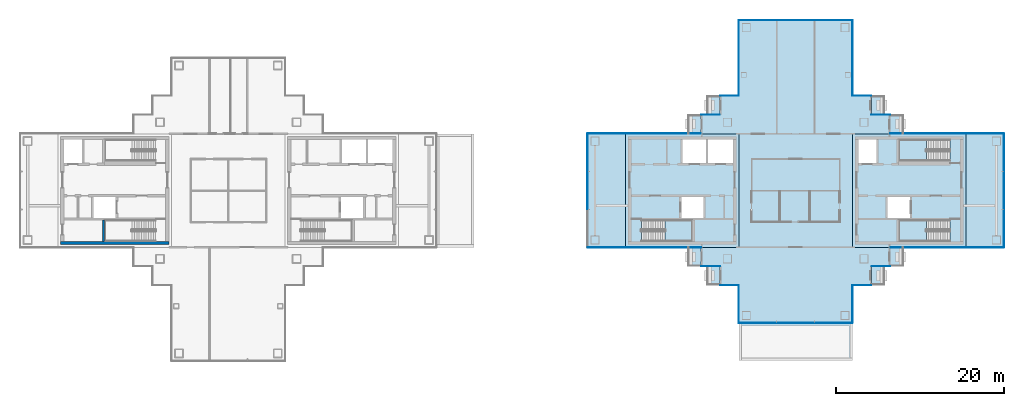
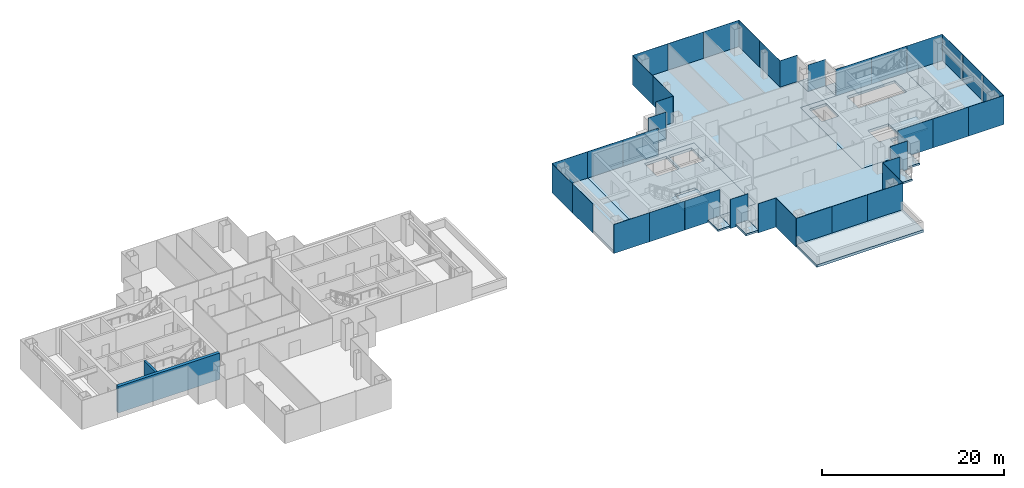
# One storey, part 8 of 16: 37 plates, 17 slabs, 2 walls, 23 elements without a shape of their own.
"""IFC4 building model written with IfcOpenShell, lengths in metres."""

from ifc_helpers import new_model, si_unit, direction, frame, frame_2d, origin, origin_2d, place, context, subcontext, project, spatial, polyline, rectangle, outline, extrude, material, layer, layer_set, type_object, element, aggregate, save


model = new_model("IFC4")

# Units and contexts
model_context = context("Model", 3, precision=1e-05, world=origin(), true_north=direction((0.0, 1.0)))
body_context = subcontext(model_context, "Body", "Model", "MODEL_VIEW")
ifc_project = project(units=[si_unit("LENGTHUNIT", "METRE"), si_unit("AREAUNIT", "SQUARE_METRE"), si_unit("VOLUMEUNIT", "CUBIC_METRE"), si_unit("PLANEANGLEUNIT", "RADIAN"), si_unit("MASSUNIT", "GRAM", prefix="KILO")], contexts=[model_context])

# Site, building, storey
site_placement = place(None, origin())
site = spatial("IfcSite", under=ifc_project, at=site_placement, CompositionType="ELEMENT")
building_placement = place(site_placement, origin())
building = spatial("IfcBuilding", under=site, at=building_placement, Name="Shamsa Quay Exchange Towers", CompositionType="ELEMENT")
storey_placement = place(building_placement, frame((0.0, 0.0, 182.699951171875)))
storey = spatial("IfcBuildingStorey", under=building, at=storey_placement, Name="L43", CompositionType="ELEMENT", Elevation=182.699951171875)

# Slabs
ifc_material_1 = material(Name="Precast concrete C40/50", Category="concrete")
ifc_layer_1 = layer(ifc_material_1, 0.25)
ifc_layer_set_1 = layer_set([ifc_layer_1], Name="BALCONY SLAB 250")
slab_type_1 = type_object("IfcSlabType", Name="BALCONY SLAB 250", PredefinedType="FLOOR", material=ifc_layer_set_1)
slab_1_placement = place(storey_placement, frame((0.0, 0.0, -0.25)))
element("IfcSlab", 1, at=slab_1_placement, inside=storey, type_object=slab_type_1, Name="Balcony T2-PKEN L43", PredefinedType="FLOOR", context=body_context, shape_type="SweptSolid", body=[
    extrude(outline(polyline([(24.75, 11.25), (24.75, 9.0380859375), (23.199951171875, 9.0380859375), (23.199951171875, 11.25), (24.75, 11.25)])), origin(), (0.0, 0.0, 1.0), 0.25),
])
slab_2_placement = place(storey_placement, frame((0.0, 0.0, -0.25)))
element("IfcSlab", 2, at=slab_2_placement, inside=storey, type_object=slab_type_1, Name="Balcony T2-PKEN L43", PredefinedType="FLOOR", context=body_context, shape_type="SweptSolid", body=[
    extrude(outline(polyline([(22.5, 9.0), (22.5, 6.7880859375), (20.949951171875, 6.7880859375), (20.949951171875, 9.0), (22.5, 9.0)])), origin(), (0.0, 0.0, 1.0), 0.25),
])
slab_3_placement = place(storey_placement, frame((0.0, 0.0, -0.25)))
element("IfcSlab", 3, at=slab_3_placement, inside=storey, type_object=slab_type_1, Name="Balcony T2-PKES L43", PredefinedType="FLOOR", context=body_context, shape_type="SweptSolid", body=[
    extrude(outline(polyline([(42.75, 9.0380859375), (42.75, 11.25), (44.300048828125, 11.25), (44.300048828125, 9.0380859375), (42.75, 9.0380859375)])), origin(), (0.0, 0.0, 1.0), 0.25),
])
slab_4_placement = place(storey_placement, frame((0.0, 0.0, -0.25)))
element("IfcSlab", 4, at=slab_4_placement, inside=storey, type_object=slab_type_1, Name="Balcony T2-PKES L43", PredefinedType="FLOOR", context=body_context, shape_type="SweptSolid", body=[
    extrude(outline(polyline([(45.0, 6.7880859375), (45.0, 9.0), (46.550048828125, 9.0), (46.550048828125, 6.7880859375), (45.0, 6.7880859375)])), origin(), (0.0, 0.0, 1.0), 0.25),
])
slab_5_placement = place(storey_placement, frame((0.0, 0.0, -0.25)))
element("IfcSlab", 5, at=slab_5_placement, inside=storey, type_object=slab_type_1, Name="Balcony T2-PKWN L43", PredefinedType="FLOOR", context=body_context, shape_type="SweptSolid", body=[
    extrude(outline(polyline([(22.5, -6.7880859375), (22.5, -9.0), (20.949951171875, -9.0), (20.949951171875, -6.7880859375), (22.5, -6.7880859375)])), origin(), (0.0, 0.0, 1.0), 0.25),
])
slab_6_placement = place(storey_placement, frame((0.0, 0.0, -0.25)))
element("IfcSlab", 6, at=slab_6_placement, inside=storey, type_object=slab_type_1, Name="Balcony T2-PKWN L43", PredefinedType="FLOOR", context=body_context, shape_type="SweptSolid", body=[
    extrude(outline(polyline([(24.75, -9.0380859375), (24.75, -11.25), (23.199951171875, -11.25), (23.199951171875, -9.0380859375), (24.75, -9.0380859375)])), origin(), (0.0, 0.0, 1.0), 0.25),
])
slab_7_placement = place(storey_placement, frame((0.0, 0.0, -0.25)))
element("IfcSlab", 7, at=slab_7_placement, inside=storey, type_object=slab_type_1, Name="Balcony T2-PKWS L43", PredefinedType="FLOOR", context=body_context, shape_type="SweptSolid", body=[
    extrude(outline(polyline([(42.75, -11.25), (42.75, -9.0380859375), (44.300048828125, -9.0380859375), (44.300048828125, -11.25), (42.75, -11.25)])), origin(), (0.0, 0.0, 1.0), 0.25),
])
slab_8_placement = place(storey_placement, frame((0.0, 0.0, -0.25)))
element("IfcSlab", 8, at=slab_8_placement, inside=storey, type_object=slab_type_1, Name="Balcony T2-PKWS L43", PredefinedType="FLOOR", context=body_context, shape_type="SweptSolid", body=[
    extrude(outline(polyline([(45.0, -9.0), (45.0, -6.7880859375), (46.550048828125, -6.7880859375), (46.550048828125, -9.0), (45.0, -9.0)])), origin(), (0.0, 0.0, 1.0), 0.25),
])
ifc_material_2 = material(Name="Concrete C50/60", Category="concrete")
ifc_layer_2 = layer(ifc_material_2, 0.35009765625)
ifc_layer_set_2 = layer_set([ifc_layer_2], Name="CORE FLOOR 350 C50/60")
slab_type_2 = type_object("IfcSlabType", Name="CORE FLOOR 350 C50/60", PredefinedType="FLOOR", material=ifc_layer_set_2)
slab_9_placement = place(storey_placement, frame((0.0, 0.0, -0.349853515625)))
element("IfcSlab", 9, at=slab_9_placement, inside=storey, type_object=slab_type_2, Name="Core floor T2A", PredefinedType="FLOOR", context=body_context, shape_type="SweptSolid", body=[
    extrude(outline(polyline([(13.5, -6.75), (27.0, -6.75), (27.0, 6.75), (13.5, 6.75), (13.5, -6.75)]), holes=[polyline([(15.400634765625, -6.050048828125), (15.400634765625, -3.5), (21.5, -3.5), (21.5, -6.050048828125), (15.400634765625, -6.050048828125)]), polyline([(20.300048828125, 3.25), (20.300048828125, 6.050048828125), (23.10009765625, 6.050048828125), (23.10009765625, 3.25), (20.300048828125, 3.25)]), polyline([(23.35009765625, 3.25), (23.35009765625, 6.050048828125), (26.300048828125, 6.050048828125), (26.300048828125, 3.25), (23.35009765625, 3.25)]), polyline([(20.14990234375, -3.25), (20.14990234375, -0.75), (22.800048828125, -0.75), (22.800048828125, -3.25), (20.14990234375, -3.25)])]), origin(), (0.0, 0.0, 1.0), 0.349853515625),
])
slab_10_placement = place(storey_placement, frame((0.0, 0.0, -0.349853515625)))
element("IfcSlab", 10, at=slab_10_placement, inside=storey, type_object=slab_type_2, Name="Core floor T2B", PredefinedType="FLOOR", context=body_context, shape_type="SweptSolid", body=[
    extrude(outline(polyline([(54.0, -6.75), (54.0, 6.75), (40.5, 6.75), (40.5, -6.75), (54.0, -6.75)]), holes=[polyline([(52.099365234375, -3.5), (52.099365234375, -6.050048828125), (46.0, -6.050048828125), (46.0, -3.5), (52.099365234375, -3.5)]), polyline([(52.099365234375, 6.050048828125), (52.099365234375, 3.5), (46.0, 3.5), (46.0, 6.050048828125), (52.099365234375, 6.050048828125)]), polyline([(43.35009765625, 3.25), (41.199951171875, 3.25), (41.199951171875, 6.050048828125), (43.35009765625, 6.050048828125), (43.35009765625, 3.25)]), polyline([(47.35009765625, -3.25), (44.699951171875, -3.25), (44.699951171875, -0.75), (47.35009765625, -0.75), (47.35009765625, -3.25)])]), origin(), (0.0, 0.0, 1.0), 0.349853515625),
])

# Stair, slab
ifc_material_3 = material(Name="Concrete C40/50", Category="concrete")
stair_type = type_object("IfcStairType", Name="EXIT STAIR 22 RISERS 177 MM", PredefinedType="HALF_TURN_STAIR", material=ifc_material_3)
stair_1_placement = place(storey_placement, origin())
stair_1 = element("IfcStair", 11, at=stair_1_placement, inside=storey, type_object=stair_type, Name="L43 Exit stair ST4", PredefinedType="HALF_TURN_STAIR")
ifc_layer_3 = layer(ifc_material_3, 0.199951171875)
ifc_layer_set_3 = layer_set([ifc_layer_3], Name="CORE STAIR LANDING")
slab_type_3 = type_object("IfcSlabType", Name="CORE STAIR LANDING", PredefinedType="LANDING", material=ifc_layer_set_3)
slab_11_placement = place(storey_placement, frame((0.0, 0.0, 1.75)))
slab_11 = element("IfcSlab", 12, at=slab_11_placement, type_object=slab_type_3, Name="ST4 landing 1", PredefinedType="LANDING", context=body_context, shape_type="SweptSolid", body=[
    extrude(outline(polyline([(18.199951171875, -6.050048828125), (21.5, -6.050048828125), (21.5, -3.5), (18.199951171875, -3.5), (18.199951171875, -6.050048828125)])), origin(), (0.0, 0.0, 1.0), 0.199951171875),
])
aggregate(stair_1, [slab_11])

stair_2_placement = place(storey_placement, origin())
stair_2 = element("IfcStair", 13, at=stair_2_placement, inside=storey, type_object=stair_type, Name="L43 Exit stair ST5", PredefinedType="HALF_TURN_STAIR")
slab_12_placement = place(storey_placement, frame((0.0, 0.0, 1.75)))
slab_12 = element("IfcSlab", 14, at=slab_12_placement, type_object=slab_type_3, Name="ST5 landing 1", PredefinedType="LANDING", context=body_context, shape_type="SweptSolid", body=[
    extrude(outline(polyline([(49.300048828125, -3.5), (46.0, -3.5), (46.0, -6.050048828125), (49.300048828125, -6.050048828125), (49.300048828125, -3.5)])), origin(), (0.0, 0.0, 1.0), 0.199951171875),
])
aggregate(stair_2, [slab_12])

stair_3_placement = place(storey_placement, origin())
stair_3 = element("IfcStair", 15, at=stair_3_placement, inside=storey, type_object=stair_type, Name="L43 Exit stair ST6", PredefinedType="HALF_TURN_STAIR")
slab_13_placement = place(storey_placement, frame((0.0, 0.0, 1.75)))
slab_13 = element("IfcSlab", 16, at=slab_13_placement, type_object=slab_type_3, Name="ST6 landing 1", PredefinedType="LANDING", context=body_context, shape_type="SweptSolid", body=[
    extrude(outline(polyline([(49.300048828125, 6.050048828125), (46.0, 6.050048828125), (46.0, 3.5), (49.300048828125, 3.5), (49.300048828125, 6.050048828125)])), origin(), (0.0, 0.0, 1.0), 0.199951171875),
])
aggregate(stair_3, [slab_13])

# Curtain wall, plate
ifc_material_4 = material(Name="Aluminium EN AW-6063 T6, black anodised", Category="aluminium")
ifc_layer_4 = layer(ifc_material_4, 0.280029296875)
ifc_layer_set_4 = layer_set([ifc_layer_4], Name="CW-1 UNITISED VISION GLASS")
curtain_wall_type_1 = type_object("IfcCurtainWallType", Name="CW-1 UNITISED VISION GLASS", PredefinedType="NOTDEFINED", material=ifc_layer_set_4)
curtain_wall_1_placement = place(storey_placement, origin())
curtain_wall_1 = element("IfcCurtainWall", 17, at=curtain_wall_1_placement, inside=storey, type_object=curtain_wall_type_1, Name="CW1 T2-FLK-V-W L43", PredefinedType="NOTDEFINED")
ifc_material_5 = material(Name="Glass, laminated, dark tinted", Category="glass")
ifc_layer_5 = layer(ifc_material_5, 0.0400390625)
ifc_layer_set_5 = layer_set([ifc_layer_5], Name="CW-1 VISION GLASS 40")
plate_type_1 = type_object("IfcPlateType", Name="CW-1 VISION GLASS 40", PredefinedType="CURTAIN_PANEL", material=ifc_layer_set_5)
plate_1_placement = place(storey_placement, frame((56.25, -6.77001953125, -0.349853515625)))
plate_1 = element("IfcPlate", 18, at=plate_1_placement, type_object=plate_type_1, Name="CW1 glass panel", PredefinedType="CURTAIN_PANEL", context=body_context, shape_type="SweptSolid", body=[
    extrude(rectangle(XDim=4.5, YDim=0.0400390625, at=origin_2d()), origin(), (0.0, 0.0, 1.0), 3.89990234375),
])
aggregate(curtain_wall_1, [plate_1])

# Curtain wall, plates
curtain_wall_2_placement = place(storey_placement, origin())
curtain_wall_2 = element("IfcCurtainWall", 19, at=curtain_wall_2_placement, inside=storey, type_object=curtain_wall_type_1, Name="CW1 T2-END-V- L43", PredefinedType="NOTDEFINED")
plate_2_placement = place(storey_placement, frame((58.52001953125, -4.50244140625, -0.349853515625), z_axis=(0.0, 0.0, 1.0), x_axis=(0.0, 1.0, 0.0)))
plate_2 = element("IfcPlate", 20, at=plate_2_placement, type_object=plate_type_1, Name="CW1 glass panel", PredefinedType="CURTAIN_PANEL", context=body_context, shape_type="SweptSolid", body=[
    extrude(rectangle(XDim=4.4951171875, YDim=0.0400390625, at=origin_2d()), origin(), (0.0, 0.0, 1.0), 3.89990234375),
])
plate_3_placement = place(storey_placement, frame((58.52001953125, 0.0, -0.349853515625), z_axis=(0.0, 0.0, 1.0), x_axis=(0.0, 1.0, 0.0)))
plate_3 = element("IfcPlate", 21, at=plate_3_placement, type_object=plate_type_1, Name="CW1 glass panel", PredefinedType="CURTAIN_PANEL", context=body_context, shape_type="SweptSolid", body=[
    extrude(rectangle(XDim=4.489990234375, YDim=0.0400390625, at=origin_2d()), origin(), (0.0, 0.0, 1.0), 3.89990234375),
])
plate_4_placement = place(storey_placement, frame((58.52001953125, 4.50244140625, -0.349853515625), z_axis=(0.0, 0.0, 1.0), x_axis=(0.0, 1.0, 0.0)))
plate_4 = element("IfcPlate", 22, at=plate_4_placement, type_object=plate_type_1, Name="CW1 glass panel", PredefinedType="CURTAIN_PANEL", context=body_context, shape_type="SweptSolid", body=[
    extrude(rectangle(XDim=4.4951171875, YDim=0.0400390625, at=origin_2d()), origin(), (0.0, 0.0, 1.0), 3.89990234375),
])
aggregate(curtain_wall_2, [plate_2, plate_3, plate_4])

# Curtain wall, plate
curtain_wall_3_placement = place(storey_placement, origin())
curtain_wall_3 = element("IfcCurtainWall", 23, at=curtain_wall_3_placement, inside=storey, type_object=curtain_wall_type_1, Name="CW1 T2-FLK-V-E L43", PredefinedType="NOTDEFINED")
plate_5_placement = place(storey_placement, frame((56.25, 6.77001953125, -0.349853515625), z_axis=(0.0, 0.0, 1.0), x_axis=(-1.0, 0.0, 0.0)))
plate_5 = element("IfcPlate", 24, at=plate_5_placement, type_object=plate_type_1, Name="CW1 glass panel", PredefinedType="CURTAIN_PANEL", context=body_context, shape_type="SweptSolid", body=[
    extrude(rectangle(XDim=4.5, YDim=0.0400390625, at=origin_2d()), origin(), (0.0, 0.0, 1.0), 3.89990234375),
])
aggregate(curtain_wall_3, [plate_5])

# Curtain wall, plates
curtain_wall_4_placement = place(storey_placement, origin())
curtain_wall_4 = element("IfcCurtainWall", 25, at=curtain_wall_4_placement, inside=storey, type_object=curtain_wall_type_1, Name="CW1 T2-FLK-U+S L43", PredefinedType="NOTDEFINED")
plate_6_placement = place(storey_placement, frame((40.52001953125, 13.52587890625, -0.349853515625), z_axis=(0.0, 0.0, 1.0), x_axis=(0.0, 1.0, 0.0)))
plate_6 = element("IfcPlate", 26, at=plate_6_placement, type_object=plate_type_1, Name="CW1 glass panel", PredefinedType="CURTAIN_PANEL", context=body_context, shape_type="SweptSolid", body=[
    extrude(rectangle(XDim=4.47607421875, YDim=0.0400390625, at=origin_2d()), origin(), (0.0, 0.0, 1.0), 3.89990234375),
])
plate_7_placement = place(storey_placement, frame((40.52001953125, 18.011962890625, -0.349853515625), z_axis=(0.0, 0.0, 1.0), x_axis=(0.0, 1.0, 0.0)))
plate_7 = element("IfcPlate", 27, at=plate_7_placement, type_object=plate_type_1, Name="CW1 glass panel", PredefinedType="CURTAIN_PANEL", context=body_context, shape_type="SweptSolid", body=[
    extrude(rectangle(XDim=4.47607421875, YDim=0.0400390625, at=origin_2d()), origin(), (0.0, 0.0, 1.0), 3.89990234375),
])
aggregate(curtain_wall_4, [plate_6, plate_7])

curtain_wall_5_placement = place(storey_placement, origin())
curtain_wall_5 = element("IfcCurtainWall", 28, at=curtain_wall_5_placement, inside=storey, type_object=curtain_wall_type_1, Name="CW1 T2-END-U+ L43", PredefinedType="NOTDEFINED")
plate_8_placement = place(storey_placement, frame((38.25244140625, 20.27001953125, -0.349853515625), z_axis=(0.0, 0.0, 1.0), x_axis=(-1.0, 0.0, 0.0)))
plate_8 = element("IfcPlate", 29, at=plate_8_placement, type_object=plate_type_1, Name="CW1 glass panel", PredefinedType="CURTAIN_PANEL", context=body_context, shape_type="SweptSolid", body=[
    extrude(rectangle(XDim=4.4951171875, YDim=0.0400390625, at=origin_2d()), origin(), (0.0, 0.0, 1.0), 3.89990234375),
])
plate_9_placement = place(storey_placement, frame((33.75, 20.27001953125, -0.349853515625), z_axis=(0.0, 0.0, 1.0), x_axis=(-1.0, 0.0, 0.0)))
plate_9 = element("IfcPlate", 30, at=plate_9_placement, type_object=plate_type_1, Name="CW1 glass panel", PredefinedType="CURTAIN_PANEL", context=body_context, shape_type="SweptSolid", body=[
    extrude(rectangle(XDim=4.489990234375, YDim=0.0400390625, at=origin_2d()), origin(), (0.0, 0.0, 1.0), 3.89990234375),
])
plate_10_placement = place(storey_placement, frame((29.24755859375, 20.27001953125, -0.349853515625), z_axis=(0.0, 0.0, 1.0), x_axis=(-1.0, 0.0, 0.0)))
plate_10 = element("IfcPlate", 31, at=plate_10_placement, type_object=plate_type_1, Name="CW1 glass panel", PredefinedType="CURTAIN_PANEL", context=body_context, shape_type="SweptSolid", body=[
    extrude(rectangle(XDim=4.4951171875, YDim=0.0400390625, at=origin_2d()), origin(), (0.0, 0.0, 1.0), 3.89990234375),
])
aggregate(curtain_wall_5, [plate_8, plate_9, plate_10])

curtain_wall_6_placement = place(storey_placement, origin())
curtain_wall_6 = element("IfcCurtainWall", 32, at=curtain_wall_6_placement, inside=storey, type_object=curtain_wall_type_1, Name="CW1 T2-FLK-U+N L43", PredefinedType="NOTDEFINED")
plate_11_placement = place(storey_placement, frame((26.97998046875, 18.00244140625, -0.349853515625), z_axis=(0.0, 0.0, 1.0), x_axis=(0.0, -1.0, 0.0)))
plate_11 = element("IfcPlate", 33, at=plate_11_placement, type_object=plate_type_1, Name="CW1 glass panel", PredefinedType="CURTAIN_PANEL", context=body_context, shape_type="SweptSolid", body=[
    extrude(rectangle(XDim=4.4951171875, YDim=0.0400390625, at=origin_2d()), origin(), (0.0, 0.0, 1.0), 3.89990234375),
])
plate_12_placement = place(storey_placement, frame((26.97998046875, 13.49755859375, -0.349853515625), z_axis=(0.0, 0.0, 1.0), x_axis=(0.0, -1.0, 0.0)))
plate_12 = element("IfcPlate", 34, at=plate_12_placement, type_object=plate_type_1, Name="CW1 glass panel", PredefinedType="CURTAIN_PANEL", context=body_context, shape_type="SweptSolid", body=[
    extrude(rectangle(XDim=4.4951171875, YDim=0.0400390625, at=origin_2d()), origin(), (0.0, 0.0, 1.0), 3.89990234375),
])
aggregate(curtain_wall_6, [plate_11, plate_12])

# Curtain wall, plate
curtain_wall_7_placement = place(storey_placement, origin())
curtain_wall_7 = element("IfcCurtainWall", 35, at=curtain_wall_7_placement, inside=storey, type_object=curtain_wall_type_1, Name="CW1 T2-FLK-V+E L43", PredefinedType="NOTDEFINED")
plate_13_placement = place(storey_placement, frame((11.25, 6.77001953125, -0.349853515625), z_axis=(0.0, 0.0, 1.0), x_axis=(-1.0, 0.0, 0.0)))
plate_13 = element("IfcPlate", 36, at=plate_13_placement, type_object=plate_type_1, Name="CW1 glass panel", PredefinedType="CURTAIN_PANEL", context=body_context, shape_type="SweptSolid", body=[
    extrude(rectangle(XDim=4.5, YDim=0.0400390625, at=origin_2d()), origin(), (0.0, 0.0, 1.0), 3.89990234375),
])
aggregate(curtain_wall_7, [plate_13])

# Curtain wall, plates
curtain_wall_8_placement = place(storey_placement, origin())
curtain_wall_8 = element("IfcCurtainWall", 37, at=curtain_wall_8_placement, inside=storey, type_object=curtain_wall_type_1, Name="CW1 T2-END-V+ L43", PredefinedType="NOTDEFINED")
plate_14_placement = place(storey_placement, frame((8.97998046875, 4.50244140625, -0.349853515625), z_axis=(0.0, 0.0, 1.0), x_axis=(0.0, -1.0, 0.0)))
plate_14 = element("IfcPlate", 38, at=plate_14_placement, type_object=plate_type_1, Name="CW1 glass panel", PredefinedType="CURTAIN_PANEL", context=body_context, shape_type="SweptSolid", body=[
    extrude(rectangle(XDim=4.4951171875, YDim=0.0400390625, at=origin_2d()), origin(), (0.0, 0.0, 1.0), 3.89990234375),
])
plate_15_placement = place(storey_placement, frame((8.97998046875, 0.0, -0.349853515625), z_axis=(0.0, 0.0, 1.0), x_axis=(0.0, -1.0, 0.0)))
plate_15 = element("IfcPlate", 39, at=plate_15_placement, type_object=plate_type_1, Name="CW1 glass panel", PredefinedType="CURTAIN_PANEL", context=body_context, shape_type="SweptSolid", body=[
    extrude(rectangle(XDim=4.489990234375, YDim=0.0400390625, at=origin_2d()), origin(), (0.0, 0.0, 1.0), 3.89990234375),
])
aggregate(curtain_wall_8, [plate_14, plate_15])

# Curtain wall, plate
curtain_wall_9_placement = place(storey_placement, origin())
curtain_wall_9 = element("IfcCurtainWall", 40, at=curtain_wall_9_placement, inside=storey, type_object=curtain_wall_type_1, Name="CW1 T2-FLK-V+W L43", PredefinedType="NOTDEFINED")
plate_16_placement = place(storey_placement, frame((11.25, -6.77001953125, -0.349853515625)))
plate_16 = element("IfcPlate", 41, at=plate_16_placement, type_object=plate_type_1, Name="CW1 glass panel", PredefinedType="CURTAIN_PANEL", context=body_context, shape_type="SweptSolid", body=[
    extrude(rectangle(XDim=4.5, YDim=0.0400390625, at=origin_2d()), origin(), (0.0, 0.0, 1.0), 3.89990234375),
])
aggregate(curtain_wall_9, [plate_16])

curtain_wall_10_placement = place(storey_placement, origin())
curtain_wall_10 = element("IfcCurtainWall", 42, at=curtain_wall_10_placement, inside=storey, type_object=curtain_wall_type_1, Name="CW1 T2-FLK-U-N L43", PredefinedType="NOTDEFINED")
plate_17_placement = place(storey_placement, frame((26.97998046875, -13.51904296875, -0.349853515625), z_axis=(0.0, 0.0, 1.0), x_axis=(0.0, -1.0, 0.0)))
plate_17 = element("IfcPlate", 43, at=plate_17_placement, type_object=plate_type_1, Name="CW1 glass panel", PredefinedType="CURTAIN_PANEL", context=body_context, shape_type="SweptSolid", body=[
    extrude(rectangle(XDim=4.4619140625, YDim=0.0400390625, at=origin_2d()), origin(), (0.0, 0.0, 1.0), 3.89990234375),
])
aggregate(curtain_wall_10, [plate_17])

# Curtain wall, plates
curtain_wall_11_placement = place(storey_placement, origin())
curtain_wall_11 = element("IfcCurtainWall", 44, at=curtain_wall_11_placement, inside=storey, type_object=curtain_wall_type_1, Name="CW1 T2-END-U- L43", PredefinedType="NOTDEFINED")
plate_18_placement = place(storey_placement, frame((29.24755859375, -15.77001953125, -0.349853515625)))
plate_18 = element("IfcPlate", 45, at=plate_18_placement, type_object=plate_type_1, Name="CW1 glass panel", PredefinedType="CURTAIN_PANEL", context=body_context, shape_type="SweptSolid", body=[
    extrude(rectangle(XDim=4.4951171875, YDim=0.0400390625, at=origin_2d()), origin(), (0.0, 0.0, 1.0), 3.89990234375),
])
plate_19_placement = place(storey_placement, frame((33.75, -15.77001953125, -0.349853515625)))
plate_19 = element("IfcPlate", 46, at=plate_19_placement, type_object=plate_type_1, Name="CW1 glass panel", PredefinedType="CURTAIN_PANEL", context=body_context, shape_type="SweptSolid", body=[
    extrude(rectangle(XDim=4.489990234375, YDim=0.0400390625, at=origin_2d()), origin(), (0.0, 0.0, 1.0), 3.89990234375),
])
plate_20_placement = place(storey_placement, frame((38.25244140625, -15.77001953125, -0.349853515625)))
plate_20 = element("IfcPlate", 47, at=plate_20_placement, type_object=plate_type_1, Name="CW1 glass panel", PredefinedType="CURTAIN_PANEL", context=body_context, shape_type="SweptSolid", body=[
    extrude(rectangle(XDim=4.4951171875, YDim=0.0400390625, at=origin_2d()), origin(), (0.0, 0.0, 1.0), 3.89990234375),
])
aggregate(curtain_wall_11, [plate_18, plate_19, plate_20])

# Curtain wall, plate
curtain_wall_12_placement = place(storey_placement, origin())
curtain_wall_12 = element("IfcCurtainWall", 48, at=curtain_wall_12_placement, inside=storey, type_object=curtain_wall_type_1, Name="CW1 T2-FLK-U-S L43", PredefinedType="NOTDEFINED")
plate_21_placement = place(storey_placement, frame((40.52001953125, -13.5, -0.349853515625), z_axis=(0.0, 0.0, 1.0), x_axis=(0.0, 1.0, 0.0)))
plate_21 = element("IfcPlate", 49, at=plate_21_placement, type_object=plate_type_1, Name="CW1 glass panel", PredefinedType="CURTAIN_PANEL", context=body_context, shape_type="SweptSolid", body=[
    extrude(rectangle(XDim=4.5, YDim=0.0400390625, at=origin_2d()), origin(), (0.0, 0.0, 1.0), 3.89990234375),
])
aggregate(curtain_wall_12, [plate_21])

# Curtain wall, plates
ifc_layer_6 = layer(ifc_material_4, 0.303955078125)
ifc_layer_set_6 = layer_set([ifc_layer_6], Name="CW-2 UNITISED OPAQUE SPANDREL GLASS")
curtain_wall_type_2 = type_object("IfcCurtainWallType", Name="CW-2 UNITISED OPAQUE SPANDREL GLASS", PredefinedType="NOTDEFINED", material=ifc_layer_set_6)
curtain_wall_13_placement = place(storey_placement, origin())
curtain_wall_13 = element("IfcCurtainWall", 50, at=curtain_wall_13_placement, inside=storey, type_object=curtain_wall_type_2, Name="CW2 T2-FLK-V-W L43", PredefinedType="NOTDEFINED")
ifc_material_6 = material(Name="Glass, laminated, black enamelled opaque", Category="glass")
ifc_layer_7 = layer(ifc_material_6, 0.0439453125)
ifc_layer_set_7 = layer_set([ifc_layer_7], Name="CW-2 SPANDREL GLASS 44")
plate_type_2 = type_object("IfcPlateType", Name="CW-2 SPANDREL GLASS 44", PredefinedType="CURTAIN_PANEL", material=ifc_layer_set_7)
plate_22_placement = place(storey_placement, frame((47.27587890625, -6.77197265625, -0.349853515625)))
plate_22 = element("IfcPlate", 51, at=plate_22_placement, type_object=plate_type_2, Name="CW2 glass panel", PredefinedType="CURTAIN_PANEL", context=body_context, shape_type="SweptSolid", body=[
    extrude(rectangle(XDim=4.47607421875, YDim=0.0439453125, at=origin_2d()), origin(), (0.0, 0.0, 1.0), 3.89990234375),
])
plate_23_placement = place(storey_placement, frame((51.761962890625, -6.77197265625, -0.349853515625)))
plate_23 = element("IfcPlate", 52, at=plate_23_placement, type_object=plate_type_2, Name="CW2 glass panel", PredefinedType="CURTAIN_PANEL", context=body_context, shape_type="SweptSolid", body=[
    extrude(rectangle(XDim=4.47607421875, YDim=0.0439453125, at=origin_2d()), origin(), (0.0, 0.0, 1.0), 3.89990234375),
])
aggregate(curtain_wall_13, [plate_22, plate_23])

curtain_wall_14_placement = place(storey_placement, origin())
curtain_wall_14 = element("IfcCurtainWall", 53, at=curtain_wall_14_placement, inside=storey, type_object=curtain_wall_type_2, Name="CW2 T2-FLK-V-E L43", PredefinedType="NOTDEFINED")
plate_24_placement = place(storey_placement, frame((51.75244140625, 6.77197265625, -0.349853515625), z_axis=(0.0, 0.0, 1.0), x_axis=(-1.0, 0.0, 0.0)))
plate_24 = element("IfcPlate", 54, at=plate_24_placement, type_object=plate_type_2, Name="CW2 glass panel", PredefinedType="CURTAIN_PANEL", context=body_context, shape_type="SweptSolid", body=[
    extrude(rectangle(XDim=4.4951171875, YDim=0.0439453125, at=origin_2d()), origin(), (0.0, 0.0, 1.0), 3.89990234375),
])
plate_25_placement = place(storey_placement, frame((47.24755859375, 6.77197265625, -0.349853515625), z_axis=(0.0, 0.0, 1.0), x_axis=(-1.0, 0.0, 0.0)))
plate_25 = element("IfcPlate", 55, at=plate_25_placement, type_object=plate_type_2, Name="CW2 glass panel", PredefinedType="CURTAIN_PANEL", context=body_context, shape_type="SweptSolid", body=[
    extrude(rectangle(XDim=4.4951171875, YDim=0.0439453125, at=origin_2d()), origin(), (0.0, 0.0, 1.0), 3.89990234375),
])
aggregate(curtain_wall_14, [plate_24, plate_25])

curtain_wall_15_placement = place(storey_placement, origin())
curtain_wall_15 = element("IfcCurtainWall", 56, at=curtain_wall_15_placement, inside=storey, type_object=curtain_wall_type_2, Name="CW2 T2-FLK-V+E L43", PredefinedType="NOTDEFINED")
plate_26_placement = place(storey_placement, frame((20.22412109375, 6.77197265625, -0.349853515625), z_axis=(0.0, 0.0, 1.0), x_axis=(-1.0, 0.0, 0.0)))
plate_26 = element("IfcPlate", 57, at=plate_26_placement, type_object=plate_type_2, Name="CW2 glass panel", PredefinedType="CURTAIN_PANEL", context=body_context, shape_type="SweptSolid", body=[
    extrude(rectangle(XDim=4.47607421875, YDim=0.0439453125, at=origin_2d()), origin(), (0.0, 0.0, 1.0), 3.89990234375),
])
plate_27_placement = place(storey_placement, frame((15.738037109375, 6.77197265625, -0.349853515625), z_axis=(0.0, 0.0, 1.0), x_axis=(-1.0, 0.0, 0.0)))
plate_27 = element("IfcPlate", 58, at=plate_27_placement, type_object=plate_type_2, Name="CW2 glass panel", PredefinedType="CURTAIN_PANEL", context=body_context, shape_type="SweptSolid", body=[
    extrude(rectangle(XDim=4.47607421875, YDim=0.0439453125, at=origin_2d()), origin(), (0.0, 0.0, 1.0), 3.89990234375),
])
aggregate(curtain_wall_15, [plate_26, plate_27])

curtain_wall_16_placement = place(storey_placement, origin())
curtain_wall_16 = element("IfcCurtainWall", 59, at=curtain_wall_16_placement, inside=storey, type_object=curtain_wall_type_2, Name="CW2 T2-FLK-V+W L43", PredefinedType="NOTDEFINED")
plate_28_placement = place(storey_placement, frame((15.74755859375, -6.77197265625, -0.349853515625)))
plate_28 = element("IfcPlate", 60, at=plate_28_placement, type_object=plate_type_2, Name="CW2 glass panel", PredefinedType="CURTAIN_PANEL", context=body_context, shape_type="SweptSolid", body=[
    extrude(rectangle(XDim=4.4951171875, YDim=0.0439453125, at=origin_2d()), origin(), (0.0, 0.0, 1.0), 3.89990234375),
])
plate_29_placement = place(storey_placement, frame((20.25244140625, -6.77197265625, -0.349853515625)))
plate_29 = element("IfcPlate", 61, at=plate_29_placement, type_object=plate_type_2, Name="CW2 glass panel", PredefinedType="CURTAIN_PANEL", context=body_context, shape_type="SweptSolid", body=[
    extrude(rectangle(XDim=4.4951171875, YDim=0.0439453125, at=origin_2d()), origin(), (0.0, 0.0, 1.0), 3.89990234375),
])
aggregate(curtain_wall_16, [plate_28, plate_29])

ifc_layer_8 = layer(ifc_material_4, 0.256103515625)
ifc_layer_set_8 = layer_set([ifc_layer_8], Name="CW-4 POCKET SERRATED GLAZING")
curtain_wall_type_3 = type_object("IfcCurtainWallType", Name="CW-4 POCKET SERRATED GLAZING", PredefinedType="NOTDEFINED", material=ifc_layer_set_8)
curtain_wall_17_placement = place(storey_placement, origin())
curtain_wall_17 = element("IfcCurtainWall", 62, at=curtain_wall_17_placement, inside=storey, type_object=curtain_wall_type_3, Name="CW4 PKWS L43", PredefinedType="NOTDEFINED")
ifc_layer_9 = layer(ifc_material_5, 0.035888671875)
ifc_layer_set_9 = layer_set([ifc_layer_9], Name="CW-4 POCKET GLASS 36")
plate_type_3 = type_object("IfcPlateType", Name="CW-4 POCKET GLASS 36", PredefinedType="CURTAIN_PANEL", material=ifc_layer_set_9)
plate_30_placement = place(storey_placement, frame((43.89404296875, -9.01806640625, -0.349853515625)))
plate_30 = element("IfcPlate", 63, at=plate_30_placement, type_object=plate_type_3, Name="CW4 glass panel", PredefinedType="CURTAIN_PANEL", context=body_context, shape_type="SweptSolid", body=[
    extrude(rectangle(XDim=2.2119140625, YDim=0.035888671875, at=origin_2d()), origin(), (0.0, 0.0, 1.0), 3.89990234375),
])
plate_31_placement = place(storey_placement, frame((41.64599609375, -11.26806640625, -0.349853515625)))
plate_31 = element("IfcPlate", 64, at=plate_31_placement, type_object=plate_type_3, Name="CW4 glass panel", PredefinedType="CURTAIN_PANEL", context=body_context, shape_type="SweptSolid", body=[
    extrude(rectangle(XDim=2.2080078125, YDim=0.035888671875, at=origin_2d()), origin(), (0.0, 0.0, 1.0), 3.89990234375),
])
aggregate(curtain_wall_17, [plate_30, plate_31])

curtain_wall_18_placement = place(storey_placement, origin())
curtain_wall_18 = element("IfcCurtainWall", 65, at=curtain_wall_18_placement, inside=storey, type_object=curtain_wall_type_3, Name="CW4 PKES L43", PredefinedType="NOTDEFINED")
plate_32_placement = place(storey_placement, frame((43.875, 9.01806640625, -0.349853515625), z_axis=(0.0, 0.0, 1.0), x_axis=(-1.0, 0.0, 0.0)))
plate_32 = element("IfcPlate", 66, at=plate_32_placement, type_object=plate_type_3, Name="CW4 glass panel", PredefinedType="CURTAIN_PANEL", context=body_context, shape_type="SweptSolid", body=[
    extrude(rectangle(XDim=2.25, YDim=0.035888671875, at=origin_2d()), origin(), (0.0, 0.0, 1.0), 3.89990234375),
])
plate_33_placement = place(storey_placement, frame((41.625, 11.26806640625, -0.349853515625), z_axis=(0.0, 0.0, 1.0), x_axis=(-1.0, 0.0, 0.0)))
plate_33 = element("IfcPlate", 67, at=plate_33_placement, type_object=plate_type_3, Name="CW4 glass panel", PredefinedType="CURTAIN_PANEL", context=body_context, shape_type="SweptSolid", body=[
    extrude(rectangle(XDim=2.25, YDim=0.035888671875, at=origin_2d()), origin(), (0.0, 0.0, 1.0), 3.89990234375),
])
aggregate(curtain_wall_18, [plate_32, plate_33])

curtain_wall_19_placement = place(storey_placement, origin())
curtain_wall_19 = element("IfcCurtainWall", 68, at=curtain_wall_19_placement, inside=storey, type_object=curtain_wall_type_3, Name="CW4 PKEN L43", PredefinedType="NOTDEFINED")
plate_34_placement = place(storey_placement, frame((25.85400390625, 11.26806640625, -0.349853515625), z_axis=(0.0, 0.0, 1.0), x_axis=(-1.0, 0.0, 0.0)))
plate_34 = element("IfcPlate", 69, at=plate_34_placement, type_object=plate_type_3, Name="CW4 glass panel", PredefinedType="CURTAIN_PANEL", context=body_context, shape_type="SweptSolid", body=[
    extrude(rectangle(XDim=2.2080078125, YDim=0.035888671875, at=origin_2d()), origin(), (0.0, 0.0, 1.0), 3.89990234375),
])
plate_35_placement = place(storey_placement, frame((23.60595703125, 9.01806640625, -0.349853515625), z_axis=(0.0, 0.0, 1.0), x_axis=(-1.0, 0.0, 0.0)))
plate_35 = element("IfcPlate", 70, at=plate_35_placement, type_object=plate_type_3, Name="CW4 glass panel", PredefinedType="CURTAIN_PANEL", context=body_context, shape_type="SweptSolid", body=[
    extrude(rectangle(XDim=2.2119140625, YDim=0.035888671875, at=origin_2d()), origin(), (0.0, 0.0, 1.0), 3.89990234375),
])
aggregate(curtain_wall_19, [plate_34, plate_35])

curtain_wall_20_placement = place(storey_placement, origin())
curtain_wall_20 = element("IfcCurtainWall", 71, at=curtain_wall_20_placement, inside=storey, type_object=curtain_wall_type_3, Name="CW4 PKWN L43", PredefinedType="NOTDEFINED")
plate_36_placement = place(storey_placement, frame((23.625, -9.01806640625, -0.349853515625)))
plate_36 = element("IfcPlate", 72, at=plate_36_placement, type_object=plate_type_3, Name="CW4 glass panel", PredefinedType="CURTAIN_PANEL", context=body_context, shape_type="SweptSolid", body=[
    extrude(rectangle(XDim=2.25, YDim=0.035888671875, at=origin_2d()), origin(), (0.0, 0.0, 1.0), 3.89990234375),
])
plate_37_placement = place(storey_placement, frame((25.875, -11.26806640625, -0.349853515625)))
plate_37 = element("IfcPlate", 73, at=plate_37_placement, type_object=plate_type_3, Name="CW4 glass panel", PredefinedType="CURTAIN_PANEL", context=body_context, shape_type="SweptSolid", body=[
    extrude(rectangle(XDim=2.25, YDim=0.035888671875, at=origin_2d()), origin(), (0.0, 0.0, 1.0), 3.89990234375),
])
aggregate(curtain_wall_20, [plate_36, plate_37])

# Slabs
ifc_layer_10 = layer(ifc_material_3, 0.35009765625)
ifc_layer_set_10 = layer_set([ifc_layer_10], Name="Flat slab 350")
slab_type_4 = type_object("IfcSlabType", Name="Flat slab 350", PredefinedType="FLOOR", material=ifc_layer_set_10)
slab_14_placement = place(storey_placement, frame((0.0, 0.0, -0.349853515625)))
element("IfcSlab", 74, at=slab_14_placement, inside=storey, type_object=slab_type_4, Name="Flat slab T2 L43 4", PredefinedType="FLOOR", context=body_context, shape_type="SweptSolid", body=[
    extrude(outline(polyline([(9.0, -6.75), (13.5, -6.75), (13.5, 6.75), (9.0, 6.75), (9.0, -6.75)])), origin(), (0.0, 0.0, 1.0), 0.349853515625),
])
slab_15_placement = place(storey_placement, frame((0.0, 0.0, -0.349853515625)))
element("IfcSlab", 75, at=slab_15_placement, inside=storey, type_object=slab_type_4, Name="Flat slab T2 L43 5", PredefinedType="FLOOR", context=body_context, shape_type="SweptSolid", body=[
    extrude(outline(polyline([(45.0, -9.0), (45.0, -6.75), (40.5, -6.75), (40.5, 6.75), (45.0, 6.75), (45.0, 9.0), (42.75, 9.0), (42.75, 11.25), (40.5, 11.25), (40.5, 20.25), (27.0, 20.25), (27.0, 11.25), (24.75, 11.25), (24.75, 9.0), (22.5, 9.0), (22.5, 6.75), (27.0, 6.75), (27.0, -6.75), (22.5, -6.75), (22.5, -9.0), (24.75, -9.0), (24.75, -11.25), (27.0, -11.25), (27.0, -15.75), (40.5, -15.75), (40.5, -11.25), (42.75, -11.25), (42.75, -9.0), (45.0, -9.0)])), origin(), (0.0, 0.0, 1.0), 0.349853515625),
])
slab_16_placement = place(storey_placement, frame((0.0, 0.0, -0.349853515625)))
element("IfcSlab", 76, at=slab_16_placement, inside=storey, type_object=slab_type_4, Name="Flat slab T2 L43 6", PredefinedType="FLOOR", context=body_context, shape_type="SweptSolid", body=[
    extrude(outline(polyline([(58.5, 6.75), (54.0, 6.75), (54.0, -6.75), (58.5, -6.75), (58.5, 6.75)])), origin(), (0.0, 0.0, 1.0), 0.349853515625),
])
ifc_layer_11 = layer(ifc_material_3, 0.35009765625)
ifc_layer_set_11 = layer_set([ifc_layer_11], Name="Terrace roof slab 350")
slab_type_5 = type_object("IfcSlabType", Name="Terrace roof slab 350", PredefinedType="ROOF", material=ifc_layer_set_11)
slab_17_placement = place(storey_placement, frame((0.0, 0.0, -0.349853515625)))
element("IfcSlab", 77, at=slab_17_placement, inside=storey, type_object=slab_type_5, Name="Roof slab T2 over L42 2", PredefinedType="ROOF", context=body_context, shape_type="SweptSolid", body=[
    extrude(outline(polyline([(40.5, -20.25), (40.5, -15.75), (27.0, -15.75), (27.0, -20.25), (40.5, -20.25)])), origin(), (0.0, 0.0, 1.0), 0.349853515625),
])

# Walls
ifc_material_7 = material(Name="Concrete C60/75", Category="concrete")
ifc_layer_12 = layer(ifc_material_7, 0.39990234375)
ifc_layer_set_12 = layer_set([ifc_layer_12], Name="CORE WALL 400 C60/75")
wall_type_1 = type_object("IfcWallType", Name="CORE WALL 400 C60/75", PredefinedType="SHEAR", material=ifc_layer_set_12)
wall_1_placement = place(storey_placement, frame((-40.800048828125, -6.25, 0.0), z_axis=(0.0, 0.0, 1.0), x_axis=(-1.0, 0.0, 0.0)))
element("IfcWall", 78, at=wall_1_placement, inside=storey, type_object=wall_type_1, Name="Core wall T1B-R20-PS", PredefinedType="SHEAR", context=body_context, shape_type="SweptSolid", body=[
    extrude(rectangle(XDim=12.89990234375, YDim=0.39990234375, at=frame_2d((6.449951171875, 0.0))), origin(), (0.0, 0.0, 1.0), 3.550048828125),
])
ifc_layer_13 = layer(ifc_material_2, 0.25)
ifc_layer_set_13 = layer_set([ifc_layer_13], Name="SHAFT WALL 250 C50/60")
wall_type_2 = type_object("IfcWallType", Name="SHAFT WALL 250 C50/60", PredefinedType="SHEAR", material=ifc_layer_set_13)
wall_2_placement = place(storey_placement, frame((-48.625, -6.050048828125, 0.0), z_axis=(0.0, 0.0, 1.0), x_axis=(0.0, 1.0, 0.0)))
element("IfcWall", 79, at=wall_2_placement, inside=storey, type_object=wall_type_2, Name="Shaft wall T1B-R20-STF", PredefinedType="SHEAR", context=body_context, shape_type="SweptSolid", body=[
    extrude(rectangle(XDim=2.550048828125, YDim=0.25, at=frame_2d((1.27490234375, 0.0))), origin(), (0.0, 0.0, 1.0), 3.550048828125),
])

save(model, "model.ifc")
